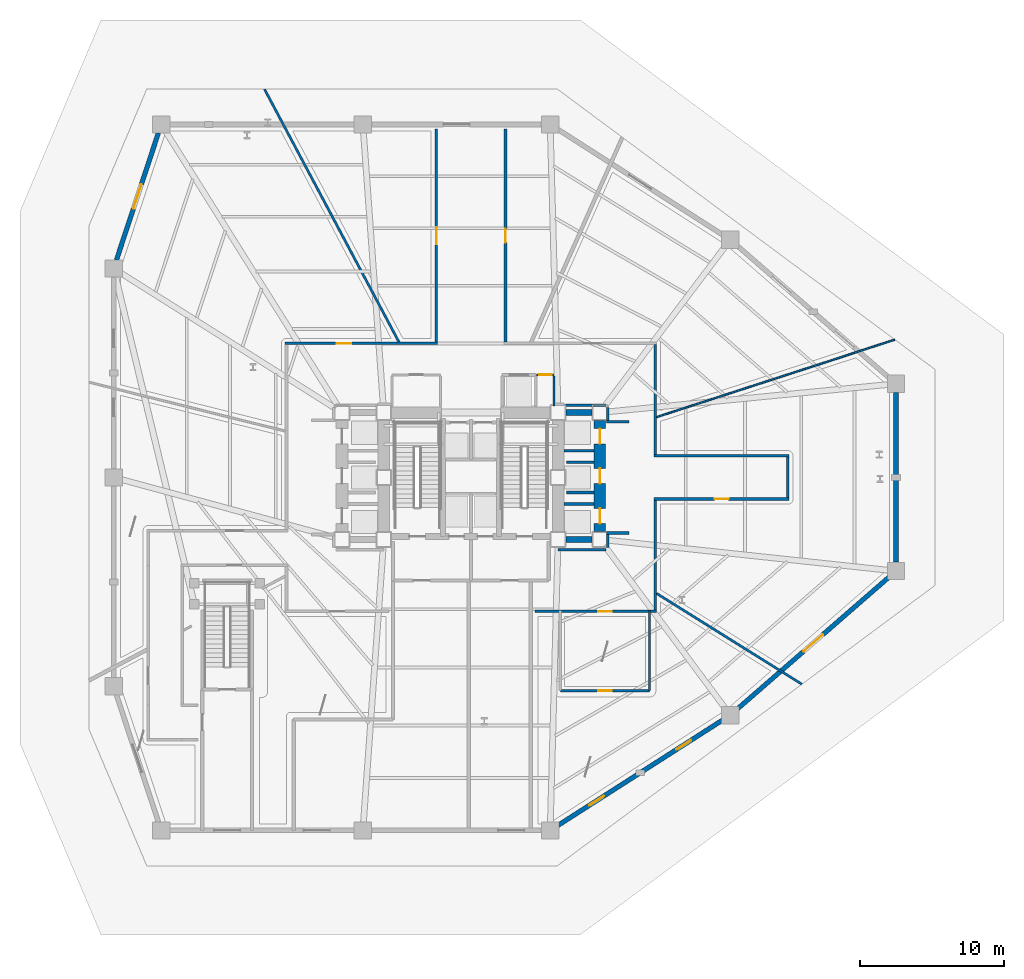
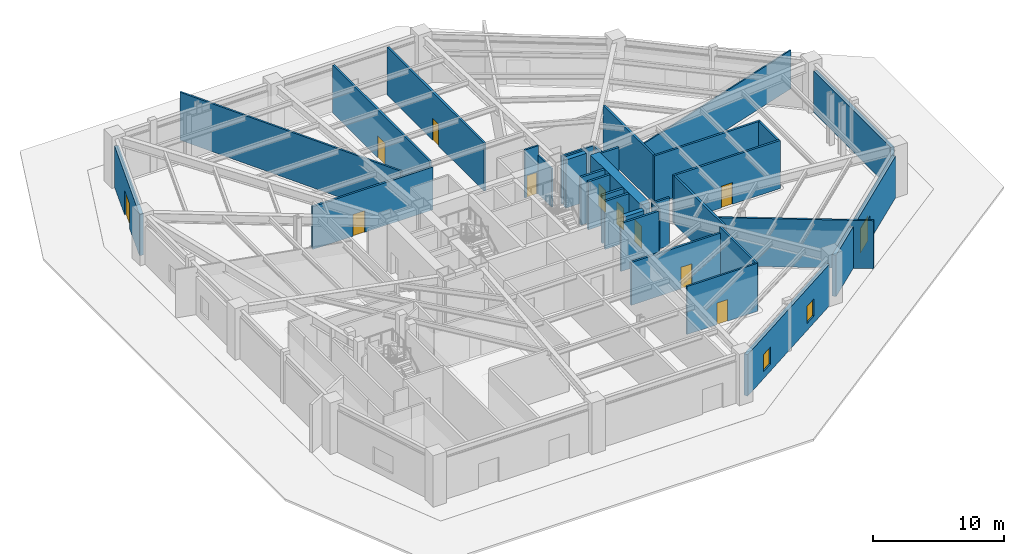
# One storey, part 5 of 10: 33 walls, 12 doors, 2 windows, 14 openings.
"""IFC4 building model written with IfcOpenShell, lengths in metres."""

from ifc_helpers import new_model, si_unit, direction, frame, frame_2d, origin, place, context, subcontext, project, spatial, rectangle, extrude, material, layer, layer_set, type_object, element, fill, save


model = new_model("IFC4")

# Units and contexts
model_context = context("Model", 3, precision=1e-05, world=origin(), true_north=direction((0.0, 1.0)))
body_context = subcontext(model_context, "Body", "Model", "MODEL_VIEW")
ifc_project = project(units=[si_unit("LENGTHUNIT", "METRE"), si_unit("AREAUNIT", "SQUARE_METRE"), si_unit("VOLUMEUNIT", "CUBIC_METRE"), si_unit("PLANEANGLEUNIT", "RADIAN"), si_unit("MASSUNIT", "GRAM", prefix="KILO")], contexts=[model_context])

# Site, building, storey
site_placement = place(None, origin())
site = spatial("IfcSite", under=ifc_project, at=site_placement, CompositionType="ELEMENT")
building_placement = place(site_placement, origin())
building = spatial("IfcBuilding", under=site, at=building_placement, Name="Rocaltana Carrier Exchange", CompositionType="ELEMENT")
storey_placement = place(building_placement, origin())
storey = spatial("IfcBuildingStorey", under=building, at=storey_placement, Name="L01", CompositionType="ELEMENT", Elevation=0.0)

# Walls
ifc_material_1 = material(Name="Double Acoustic Gypsum Partition", Category="gypsum")
ifc_layer_1 = layer(ifc_material_1, 0.159912109375)
ifc_layer_set_1 = layer_set([ifc_layer_1], Name="Double Acoustic Gypsum Partition")
wall_type_1 = type_object("IfcWallType", Name="Acoustic Studio Partition 160 EI60", PredefinedType="PARTITIONING", material=ifc_layer_set_1)
wall_1_placement = place(storey_placement, frame((12.8798828125, -8.04833984375, 0.0), z_axis=(0.0, 0.0, 1.0), x_axis=(0.848053688019, -0.529910315278, 0.0)))
element("IfcWall", 1, at=wall_1_placement, inside=storey, type_object=wall_type_1, Name="L01 Suite Divider Wall D4", PredefinedType="PARTITIONING", context=body_context, shape_type="SweptSolid", body=[
    extrude(rectangle(XDim=11.88623046875, YDim=0.159912109375, at=frame_2d((5.943115234375, 0.0))), origin(), (0.0, 0.0, 1.0), 4.472900390625),
])
wall_2_placement = place(storey_placement, frame((-4.9873046875, 9.3798828125, 0.0), z_axis=(0.0, 0.0, 1.0), x_axis=(-0.469474122014, 0.882946232088, 0.0)))
element("IfcWall", 2, at=wall_2_placement, inside=storey, type_object=wall_type_1, Name="L01 Suite Divider Wall D7", PredefinedType="PARTITIONING", context=body_context, shape_type="SweptSolid", body=[
    extrude(rectangle(XDim=19.887939453125, YDim=0.159912109375, at=frame_2d((9.94384765625, 0.0))), origin(), (0.0, 0.0, 1.0), 4.472900390625),
])
wall_3_placement = place(storey_placement, frame((12.39990234375, -14.800048828125, 0.0), z_axis=(0.0, 0.0, 1.0), x_axis=(0.0, 1.0, 0.0)))
element("IfcWall", 3, at=wall_3_placement, inside=storey, type_object=wall_type_1, Name="L01 Enclosure Partition 1.1", PredefinedType="PARTITIONING", context=body_context, shape_type="SweptSolid", body=[
    extrude(rectangle(XDim=5.580078125, YDim=0.159912109375, at=frame_2d((2.7900390625, 0.0))), origin(), (0.0, 0.0, 1.0), 4.472900390625),
])

# Wall, opening, door
wall_4_placement = place(storey_placement, frame((6.199951171875, -14.800048828125, 0.0), z_axis=(0.0, 0.0, 1.0), x_axis=(1.0, 0.0, 0.0)))
wall_4 = element("IfcWall", 4, at=wall_4_placement, inside=storey, type_object=wall_type_1, Name="L01 Enclosure Partition 1.2", PredefinedType="PARTITIONING", context=body_context, shape_type="SweptSolid", body=[
    extrude(rectangle(XDim=6.199951171875, YDim=0.159912109375, at=frame_2d((3.10009765625, 0.0))), origin(), (0.0, 0.0, 1.0), 4.472900390625),
])
opening_1_placement = place(wall_4_placement, frame((2.6201171875, 0.0, 0.0)))
opening_1 = element("IfcOpeningElement", 5, at=opening_1_placement, cuts=wall_4, Name="Opening D-RM098", PredefinedType="OPENING", context=body_context, shape_type="SweptSolid", body=[
    extrude(rectangle(XDim=0.9599609375, YDim=2.02001953125, at=frame_2d((0.47998046875, 1.010009765625))), frame((0.0, 0.08984375, 0.0), z_axis=(0.0, -1.0, 0.0), x_axis=(1.0, 0.0, 0.0)), (0.0, 0.0, 1.0), 0.179931640625),
])
ifc_material_2 = material(Name="Engineered Hardwood Timber", Category="wood")
door_type_1 = type_object("IfcDoorType", Name="Workspace Single Door 960x2020", OperationType="NOTDEFINED", PredefinedType="DOOR", material=ifc_material_2)
door_1_placement = place(opening_1_placement, origin())
door_1 = element("IfcDoor", 6, at=door_1_placement, inside=storey, type_object=door_type_1, Name="L01 Peering Conference Room Entrance Door", OperationType="SINGLE_SWING_RIGHT", OverallHeight=2.02001953125, OverallWidth=0.9599609375, PredefinedType="DOOR", context=body_context, shape_type="SweptSolid", body=[
    extrude(rectangle(XDim=0.9599609375, YDim=2.02001953125, at=frame_2d((0.47998046875, 1.010009765625))), frame((0.0, 0.02490234375, 0.0), z_axis=(0.0, -1.0, 0.0), x_axis=(1.0, 0.0, 0.0)), (0.0, 0.0, 1.0), 0.050048828125),
])
fill(opening_1, door_1)

# Walls
ifc_material_3 = material(Name="Concrete C50/60", Category="concrete")
ifc_layer_2 = layer(ifc_material_3, 0.39990234375)
ifc_layer_set_2 = layer_set([ifc_layer_2], Name="Concrete C50/60")
wall_type_2 = type_object("IfcWallType", Name="Core Internal Shear Wall 400", PredefinedType="SHEAR", material=ifc_layer_set_2)
for number, where, z_axis, x_axis, name in (
    (7, (6.60009765625, 4.5, 0.0), (0.0, 0.0, 1.0), (1.0, 0.0, 0.0), "L01 Core Shear Wall CW-EWN"),
    (8, (6.60009765625, -4.300048828125, 0.0), (0.0, 0.0, 1.0), (1.0, 0.0, 0.0), "L01 Core Shear Wall CW-EWS"),
):
    element("IfcWall", number, at=place(storey_placement, frame(where, z_axis=z_axis, x_axis=x_axis)), inside=storey, type_object=wall_type_2, Name=name, PredefinedType="SHEAR", context=body_context, shape_type="SweptSolid", body=[
        extrude(rectangle(XDim=1.7998046875, YDim=0.39990234375, at=frame_2d((0.89990234375, 0.0))), origin(), (0.0, 0.0, 1.0), 4.498046875),
    ])

# Wall, openings, doors
ifc_material_4 = material(Name="Concrete C60/75", Category="concrete")
ifc_layer_3 = layer(ifc_material_4, 0.800048828125)
ifc_layer_set_3 = layer_set([ifc_layer_3], Name="Concrete C60/75")
wall_type_3 = type_object("IfcWallType", Name="Core Shear Wall 800", PredefinedType="SHEAR", material=ifc_layer_set_3)
wall_5_placement = place(storey_placement, frame((8.949951171875, -3.75, 0.0), z_axis=(0.0, 0.0, 1.0), x_axis=(0.0, 1.0, 0.0)))
wall_5 = element("IfcWall", 9, at=wall_5_placement, inside=storey, type_object=wall_type_3, Name="L01 Core Shear Wall CW-EW", PredefinedType="SHEAR", context=body_context, shape_type="SweptSolid", body=[
    extrude(rectangle(XDim=7.699951171875, YDim=0.800048828125, at=frame_2d((3.85009765625, 0.0))), origin(), (0.0, 0.0, 1.0), 4.498046875),
])
opening_2_placement = place(wall_5_placement, frame((0.550048828125, 0.0, 0.0)))
opening_2 = element("IfcOpeningElement", 10, at=opening_2_placement, cuts=wall_5, Name="Opening LD-110", PredefinedType="OPENING", context=body_context, shape_type="SweptSolid", body=[
    extrude(rectangle(XDim=1.06005859375, YDim=2.0400390625, at=frame_2d((0.530029296875, 1.02001953125))), frame((0.0, 0.409912109375, 0.0), z_axis=(0.0, -1.0, 0.0), x_axis=(1.0, 0.0, 0.0)), (0.0, 0.0, 1.0), 0.820068359375),
])
opening_3_placement = place(wall_5_placement, frame((3.320068359375, 0.0, 0.0)))
opening_3 = element("IfcOpeningElement", 11, at=opening_3_placement, cuts=wall_5, Name="Opening LD-110", PredefinedType="OPENING", context=body_context, shape_type="SweptSolid", body=[
    extrude(rectangle(XDim=1.06005859375, YDim=2.0400390625, at=frame_2d((0.530029296875, 1.02001953125))), frame((0.0, 0.409912109375, 0.0), z_axis=(0.0, -1.0, 0.0), x_axis=(1.0, 0.0, 0.0)), (0.0, 0.0, 1.0), 0.820068359375),
])
opening_4_placement = place(wall_5_placement, frame((6.080078125, 0.0, 0.0)))
opening_4 = element("IfcOpeningElement", 12, at=opening_4_placement, cuts=wall_5, Name="Opening LD-110", PredefinedType="OPENING", context=body_context, shape_type="SweptSolid", body=[
    extrude(rectangle(XDim=1.06005859375, YDim=2.0400390625, at=frame_2d((0.530029296875, 1.02001953125))), frame((0.0, 0.409912109375, 0.0), z_axis=(0.0, -1.0, 0.0), x_axis=(1.0, 0.0, 0.0)), (0.0, 0.0, 1.0), 0.820068359375),
])
ifc_material_5 = material(Name="Brushed Stainless Sliding Door Leaf", Category="steel")
door_type_2 = type_object("IfcDoorType", Name="Lift Landing Sliding Door 1060x2040", OperationType="NOTDEFINED", PredefinedType="DOOR", material=ifc_material_5)
door_2_placement = place(opening_2_placement, origin())
door_2 = element("IfcDoor", 13, at=door_2_placement, inside=storey, type_object=door_type_2, Name="L01 Mid-Rise Lift PL-M1 Landing Door", OperationType="SLIDING_TO_LEFT", OverallHeight=2.0400390625, OverallWidth=1.06005859375, PredefinedType="DOOR", context=body_context, shape_type="SweptSolid", body=[
    extrude(rectangle(XDim=1.06005859375, YDim=2.0400390625, at=frame_2d((0.530029296875, 1.02001953125))), frame((0.0, 0.02490234375, 0.0), z_axis=(0.0, -1.0, 0.0), x_axis=(1.0, 0.0, 0.0)), (0.0, 0.0, 1.0), 0.050048828125),
])
fill(opening_2, door_2)
door_3_placement = place(opening_3_placement, origin())
door_3 = element("IfcDoor", 14, at=door_3_placement, inside=storey, type_object=door_type_2, Name="L01 Mid-Rise Lift PL-M2 Landing Door", OperationType="SLIDING_TO_RIGHT", OverallHeight=2.0400390625, OverallWidth=1.06005859375, PredefinedType="DOOR", context=body_context, shape_type="SweptSolid", body=[
    extrude(rectangle(XDim=1.06005859375, YDim=2.0400390625, at=frame_2d((0.530029296875, 1.02001953125))), frame((0.0, 0.02490234375, 0.0), z_axis=(0.0, -1.0, 0.0), x_axis=(1.0, 0.0, 0.0)), (0.0, 0.0, 1.0), 0.050048828125),
])
fill(opening_3, door_3)
door_4_placement = place(opening_4_placement, origin())
door_4 = element("IfcDoor", 15, at=door_4_placement, inside=storey, type_object=door_type_2, Name="L01 Mid-Rise Lift PL-M3 Landing Door", OperationType="SLIDING_TO_LEFT", OverallHeight=2.0400390625, OverallWidth=1.06005859375, PredefinedType="DOOR", context=body_context, shape_type="SweptSolid", body=[
    extrude(rectangle(XDim=1.06005859375, YDim=2.0400390625, at=frame_2d((0.530029296875, 1.02001953125))), frame((0.0, 0.02490234375, 0.0), z_axis=(0.0, -1.0, 0.0), x_axis=(1.0, 0.0, 0.0)), (0.0, 0.0, 1.0), 0.050048828125),
])
fill(opening_4, door_4)

# Wall, opening, door
ifc_material_6 = material(Name="Gypsum & Steel Stud Partition", Category="steel")
ifc_layer_4 = layer(ifc_material_6, 0.179931640625)
ifc_layer_set_4 = layer_set([ifc_layer_4], Name="Gypsum & Steel Stud Partition")
wall_type_4 = type_object("IfcWallType", Name="Corridor Fire Partition 180 EI60", PredefinedType="PARTITIONING", material=ifc_layer_set_4)
wall_6_placement = place(storey_placement, frame((-12.889892578125, 9.300048828125, 0.0), z_axis=(0.0, 0.0, 1.0), x_axis=(1.0, 0.0, 0.0)))
wall_6 = element("IfcWall", 16, at=wall_6_placement, inside=storey, type_object=wall_type_4, Name="L01 Corridor Partition 3", PredefinedType="PARTITIONING", context=body_context, shape_type="SweptSolid", body=[
    extrude(rectangle(XDim=10.579833984375, YDim=0.179931640625, at=frame_2d((5.2900390625, 0.0))), origin(), (0.0, 0.0, 1.0), 3.987060546875),
])
opening_5_placement = place(wall_6_placement, frame((3.566162109375, 0.0, 0.0)))
opening_5 = element("IfcOpeningElement", 17, at=opening_5_placement, cuts=wall_6, Name="Opening D-LB104", PredefinedType="OPENING", context=body_context, shape_type="SweptSolid", body=[
    extrude(rectangle(XDim=1.02001953125, YDim=2.02001953125, at=frame_2d((0.510009765625, 1.010009765625))), frame((0.0, 0.099853515625, 0.0), z_axis=(0.0, -1.0, 0.0), x_axis=(1.0, 0.0, 0.0)), (0.0, 0.0, 1.0), 0.199951171875),
])
ifc_material_7 = material(Name="Powder-Coated Aluminium 6063-T6", Category="aluminium")
door_type_3 = type_object("IfcDoorType", Name="Laboratory Acoustic Door 1020x2020", OperationType="NOTDEFINED", PredefinedType="DOOR", material=ifc_material_7)
door_5_placement = place(opening_5_placement, origin())
door_5 = element("IfcDoor", 18, at=door_5_placement, inside=storey, type_object=door_type_3, Name="L01 Optical Switching Laboratory Entrance Door", OperationType="SINGLE_SWING_LEFT", OverallHeight=2.02001953125, OverallWidth=1.02001953125, PredefinedType="DOOR", context=body_context, shape_type="SweptSolid", body=[
    extrude(rectangle(XDim=1.02001953125, YDim=2.02001953125, at=frame_2d((0.510009765625, 1.010009765625))), frame((0.0, 0.02490234375, 0.0), z_axis=(0.0, -1.0, 0.0), x_axis=(1.0, 0.0, 0.0)), (0.0, 0.0, 1.0), 0.050048828125),
])
fill(opening_5, door_5)

wall_7_placement = place(storey_placement, frame((-2.39990234375, 9.389892578125, 0.0), z_axis=(0.0, 0.0, 1.0), x_axis=(0.0, 1.0, 0.0)))
wall_7 = element("IfcWall", 19, at=wall_7_placement, inside=storey, type_object=wall_type_4, Name="L01 Corridor Partition 4", PredefinedType="PARTITIONING", context=body_context, shape_type="SweptSolid", body=[
    extrude(rectangle(XDim=14.780029296875, YDim=0.179931640625, at=frame_2d((7.39013671875, 0.0))), origin(), (0.0, 0.0, 1.0), 4.472900390625),
])
opening_6_placement = place(wall_7_placement, frame((6.800048828125, 0.0, 0.0)))
opening_6 = element("IfcOpeningElement", 20, at=opening_6_placement, cuts=wall_7, Name="Opening D-SU120", PredefinedType="OPENING", context=body_context, shape_type="SweptSolid", body=[
    extrude(rectangle(XDim=1.179931640625, YDim=2.02001953125, at=frame_2d((0.58984375, 1.010009765625))), frame((0.0, 0.099853515625, 0.0), z_axis=(0.0, -1.0, 0.0), x_axis=(1.0, 0.0, 0.0)), (0.0, 0.0, 1.0), 0.199951171875),
])
ifc_material_8 = material(Name="Engineered Hardwood Timber", Category="wood")
door_type_4 = type_object("IfcDoorType", Name="Suite Double Entrance Door 1180x2020", OperationType="NOTDEFINED", PredefinedType="DOOR", material=ifc_material_8)
door_6_placement = place(opening_6_placement, origin())
door_6 = element("IfcDoor", 21, at=door_6_placement, inside=storey, type_object=door_type_4, Name="L01 Data Exchange Hall Entrance Door", OperationType="SINGLE_SWING_RIGHT", OverallHeight=2.02001953125, OverallWidth=1.179931640625, PredefinedType="DOOR", context=body_context, shape_type="SweptSolid", body=[
    extrude(rectangle(XDim=1.179931640625, YDim=2.02001953125, at=frame_2d((0.58984375, 1.010009765625))), frame((0.0, 0.02490234375, 0.0), z_axis=(0.0, -1.0, 0.0), x_axis=(1.0, 0.0, 0.0)), (0.0, 0.0, 1.0), 0.050048828125),
])
fill(opening_6, door_6)

wall_8_placement = place(storey_placement, frame((2.39990234375, 24.169921875, 0.0), z_axis=(0.0, 0.0, 1.0), x_axis=(0.0, -1.0, 0.0)))
wall_8 = element("IfcWall", 22, at=wall_8_placement, inside=storey, type_object=wall_type_4, Name="L01 Corridor Partition 5", PredefinedType="PARTITIONING", context=body_context, shape_type="SweptSolid", body=[
    extrude(rectangle(XDim=14.780029296875, YDim=0.179931640625, at=frame_2d((7.39013671875, 0.0))), origin(), (0.0, 0.0, 1.0), 4.472900390625),
])
opening_7_placement = place(wall_8_placement, frame((6.909912109375, 0.0, 0.0)))
opening_7 = element("IfcOpeningElement", 23, at=opening_7_placement, cuts=wall_8, Name="Opening D-RM098", PredefinedType="OPENING", context=body_context, shape_type="SweptSolid", body=[
    extrude(rectangle(XDim=0.9599609375, YDim=2.02001953125, at=frame_2d((0.47998046875, 1.010009765625))), frame((0.0, 0.099853515625, 0.0), z_axis=(0.0, -1.0, 0.0), x_axis=(1.0, 0.0, 0.0)), (0.0, 0.0, 1.0), 0.199951171875),
])
door_7_placement = place(opening_7_placement, origin())
door_7 = element("IfcDoor", 24, at=door_7_placement, inside=storey, type_object=door_type_1, Name="L01 Client Reception Foyer Entrance Door", OperationType="SINGLE_SWING_LEFT", OverallHeight=2.02001953125, OverallWidth=0.9599609375, PredefinedType="DOOR", context=body_context, shape_type="SweptSolid", body=[
    extrude(rectangle(XDim=0.9599609375, YDim=2.02001953125, at=frame_2d((0.47998046875, 1.010009765625))), frame((0.0, 0.02490234375, 0.0), z_axis=(0.0, -1.0, 0.0), x_axis=(1.0, 0.0, 0.0)), (0.0, 0.0, 1.0), 0.050048828125),
])
fill(opening_7, door_7)

# Walls
wall_9_placement = place(storey_placement, frame((12.800048828125, 9.2099609375, 0.0), z_axis=(0.0, 0.0, 1.0), x_axis=(0.0, -1.0, 0.0)))
element("IfcWall", 25, at=wall_9_placement, inside=storey, type_object=wall_type_4, Name="L01 Corridor Partition 7", PredefinedType="PARTITIONING", context=body_context, shape_type="SweptSolid", body=[
    extrude(rectangle(XDim=7.619873046875, YDim=0.179931640625, at=frame_2d((3.81005859375, 0.0))), origin(), (0.0, 0.0, 1.0), 4.472900390625),
])
wall_10_placement = place(storey_placement, frame((12.7099609375, 1.5, 0.0), z_axis=(0.0, 0.0, 1.0), x_axis=(1.0, 0.0, 0.0)))
element("IfcWall", 26, at=wall_10_placement, inside=storey, type_object=wall_type_4, Name="L01 Corridor Partition 8", PredefinedType="PARTITIONING", context=body_context, shape_type="SweptSolid", body=[
    extrude(rectangle(XDim=9.380126953125, YDim=0.179931640625, at=frame_2d((4.68994140625, 0.0))), origin(), (0.0, 0.0, 1.0), 4.472900390625),
])
wall_11_placement = place(storey_placement, frame((22.0, 1.409912109375, 0.0), z_axis=(0.0, 0.0, 1.0), x_axis=(0.0, -1.0, 0.0)))
element("IfcWall", 27, at=wall_11_placement, inside=storey, type_object=wall_type_4, Name="L01 Corridor Partition 9", PredefinedType="PARTITIONING", context=body_context, shape_type="SweptSolid", body=[
    extrude(rectangle(XDim=2.81982421875, YDim=0.179931640625, at=frame_2d((1.409912109375, 0.0))), origin(), (0.0, 0.0, 1.0), 4.472900390625),
])

# Wall, opening, door
wall_12_placement = place(storey_placement, frame((22.090087890625, -1.5, 0.0), z_axis=(0.0, 0.0, 1.0), x_axis=(-1.0, 0.0, 0.0)))
wall_12 = element("IfcWall", 28, at=wall_12_placement, inside=storey, type_object=wall_type_4, Name="L01 Corridor Partition 10", PredefinedType="PARTITIONING", context=body_context, shape_type="SweptSolid", body=[
    extrude(rectangle(XDim=9.380126953125, YDim=0.179931640625, at=frame_2d((4.68994140625, 0.0))), origin(), (0.0, 0.0, 1.0), 4.472900390625),
])
opening_8_placement = place(wall_12_placement, frame((4.2099609375, 0.0, 0.0)))
opening_8 = element("IfcOpeningElement", 29, at=opening_8_placement, cuts=wall_12, Name="Opening D-RM098", PredefinedType="OPENING", context=body_context, shape_type="SweptSolid", body=[
    extrude(rectangle(XDim=0.9599609375, YDim=2.02001953125, at=frame_2d((0.47998046875, 1.010009765625))), frame((0.0, 0.099853515625, 0.0), z_axis=(0.0, -1.0, 0.0), x_axis=(1.0, 0.0, 0.0)), (0.0, 0.0, 1.0), 0.199951171875),
])
door_8_placement = place(opening_8_placement, origin())
door_8 = element("IfcDoor", 30, at=door_8_placement, inside=storey, type_object=door_type_1, Name="L01 Cloud Architecture Office Entrance Door", OperationType="SINGLE_SWING_LEFT", OverallHeight=2.02001953125, OverallWidth=0.9599609375, PredefinedType="DOOR", context=body_context, shape_type="SweptSolid", body=[
    extrude(rectangle(XDim=0.9599609375, YDim=2.02001953125, at=frame_2d((0.47998046875, 1.010009765625))), frame((0.0, 0.02490234375, 0.0), z_axis=(0.0, -1.0, 0.0), x_axis=(1.0, 0.0, 0.0)), (0.0, 0.0, 1.0), 0.050048828125),
])
fill(opening_8, door_8)

# Wall
wall_13_placement = place(storey_placement, frame((12.800048828125, -1.590087890625, 0.0), z_axis=(0.0, 0.0, 1.0), x_axis=(0.0, -1.0, 0.0)))
element("IfcWall", 31, at=wall_13_placement, inside=storey, type_object=wall_type_4, Name="L01 Corridor Partition 11", PredefinedType="PARTITIONING", context=body_context, shape_type="SweptSolid", body=[
    extrude(rectangle(XDim=7.619873046875, YDim=0.179931640625, at=frame_2d((3.81005859375, 0.0))), origin(), (0.0, 0.0, 1.0), 4.472900390625),
])

# Wall, opening, door
wall_14_placement = place(storey_placement, frame((12.889892578125, -9.300048828125, 0.0), z_axis=(0.0, 0.0, 1.0), x_axis=(-1.0, 0.0, 0.0)))
wall_14 = element("IfcWall", 32, at=wall_14_placement, inside=storey, type_object=wall_type_4, Name="L01 Corridor Partition 12", PredefinedType="PARTITIONING", context=body_context, shape_type="SweptSolid", body=[
    extrude(rectangle(XDim=8.43994140625, YDim=0.179931640625, at=frame_2d((4.219970703125, 0.0))), origin(), (0.0, 0.0, 1.0), 3.987060546875),
])
opening_9_placement = place(wall_14_placement, frame((3.110107421875, 0.0, 0.0)))
opening_9 = element("IfcOpeningElement", 33, at=opening_9_placement, cuts=wall_14, Name="Opening D-RM098", PredefinedType="OPENING", context=body_context, shape_type="SweptSolid", body=[
    extrude(rectangle(XDim=0.9599609375, YDim=2.02001953125, at=frame_2d((0.47998046875, 1.010009765625))), frame((0.0, 0.099853515625, 0.0), z_axis=(0.0, -1.0, 0.0), x_axis=(1.0, 0.0, 0.0)), (0.0, 0.0, 1.0), 0.199951171875),
])
door_9_placement = place(opening_9_placement, origin())
door_9 = element("IfcDoor", 34, at=door_9_placement, inside=storey, type_object=door_type_1, Name="L01 Fire Command Centre Entrance Door", OperationType="SINGLE_SWING_LEFT", OverallHeight=2.02001953125, OverallWidth=0.9599609375, PredefinedType="DOOR", context=body_context, shape_type="SweptSolid", body=[
    extrude(rectangle(XDim=0.9599609375, YDim=2.02001953125, at=frame_2d((0.47998046875, 1.010009765625))), frame((0.0, 0.02490234375, 0.0), z_axis=(0.0, -1.0, 0.0), x_axis=(1.0, 0.0, 0.0)), (0.0, 0.0, 1.0), 0.050048828125),
])
fill(opening_9, door_9)

# Walls
wall_15_placement = place(storey_placement, frame((6.030029296875, -5.010009765625, 0.0), z_axis=(0.0, 0.0, 1.0), x_axis=(1.0, 0.0, 0.0)))
element("IfcWall", 35, at=wall_15_placement, inside=storey, type_object=wall_type_4, Name="L01 Corridor Partition 14", PredefinedType="PARTITIONING", context=body_context, shape_type="SweptSolid", body=[
    extrude(rectangle(XDim=3.340087890625, YDim=0.179931640625, at=frame_2d((1.669921875, 0.0))), origin(), (0.0, 0.0, 1.0), 4.472900390625),
])
wall_16_placement = place(storey_placement, frame((9.510009765625, -4.8701171875, 0.0), z_axis=(0.0, 0.0, 1.0), x_axis=(0.0, 1.0, 0.0)))
element("IfcWall", 36, at=wall_16_placement, inside=storey, type_object=wall_type_4, Name="L01 Corridor Partition 15", PredefinedType="PARTITIONING", context=body_context, shape_type="SweptSolid", body=[
    extrude(rectangle(XDim=0.920166015625, YDim=0.179931640625, at=frame_2d((0.4599609375, 0.0))), origin(), (0.0, 0.0, 1.0), 4.472900390625),
])
for number, where, z_axis, x_axis, name in (
    (37, (9.419921875, -3.860107421875, 0.0), (0.0, 0.0, 1.0), (1.0, 0.0, 0.0), "L01 Corridor Partition 16"),
    (38, (10.969970703125, 3.860107421875, 0.0), (0.0, 0.0, 1.0), (-1.0, 0.0, 0.0), "L01 Corridor Partition 17"),
):
    element("IfcWall", number, at=place(storey_placement, frame(where, z_axis=z_axis, x_axis=x_axis)), inside=storey, type_object=wall_type_4, Name=name, PredefinedType="PARTITIONING", context=body_context, shape_type="SweptSolid", body=[
        extrude(rectangle(XDim=1.550048828125, YDim=0.179931640625, at=frame_2d((0.77490234375, 0.0))), origin(), (0.0, 0.0, 1.0), 4.472900390625),
    ])
wall_17_placement = place(storey_placement, frame((9.510009765625, 3.949951171875, 0.0), z_axis=(0.0, 0.0, 1.0), x_axis=(0.0, 1.0, 0.0)))
element("IfcWall", 39, at=wall_17_placement, inside=storey, type_object=wall_type_4, Name="L01 Corridor Partition 18", PredefinedType="PARTITIONING", context=body_context, shape_type="SweptSolid", body=[
    extrude(rectangle(XDim=0.920166015625, YDim=0.179931640625, at=frame_2d((0.4599609375, 0.0))), origin(), (0.0, 0.0, 1.0), 4.472900390625),
])
wall_18_placement = place(storey_placement, frame((9.3701171875, 5.010009765625, 0.0), z_axis=(0.0, 0.0, 1.0), x_axis=(-1.0, 0.0, 0.0)))
element("IfcWall", 40, at=wall_18_placement, inside=storey, type_object=wall_type_4, Name="L01 Corridor Partition 19", PredefinedType="PARTITIONING", context=body_context, shape_type="SweptSolid", body=[
    extrude(rectangle(XDim=2.807861328125, YDim=0.179931640625, at=frame_2d((1.40380859375, 0.0))), origin(), (0.0, 0.0, 1.0), 4.472900390625),
])
ifc_material_9 = material(Name="Aluminium 6063-T6 & Acoustic Glass", Category="aluminium")
ifc_layer_5 = layer(ifc_material_9, 0.114990234375)
ifc_layer_set_5 = layer_set([ifc_layer_5], Name="Aluminium 6063-T6 & Acoustic Glass")
wall_type_5 = type_object("IfcWallType", Name="Demountable Glazed Lab Partition 115", PredefinedType="MOVABLE", material=ifc_layer_set_5)
wall_19_placement = place(storey_placement, frame((12.8798828125, 4.18505859375, 0.0), z_axis=(0.0, 0.0, 1.0), x_axis=(0.951056153028, 0.309018112394, 0.0)))
element("IfcWall", 41, at=wall_19_placement, inside=storey, type_object=wall_type_5, Name="L01 Suite Divider Wall D5", PredefinedType="MOVABLE", context=body_context, shape_type="SweptSolid", body=[
    extrude(rectangle(XDim=17.383544921875, YDim=0.114990234375, at=frame_2d((8.69189453125, 0.0))), origin(), (0.0, 0.0, 1.0), 3.597900390625),
])
ifc_material_10 = material(Name="Reinforced Concrete Block C35/45", Category="concrete")
ifc_layer_6 = layer(ifc_material_10, 0.199951171875)
ifc_layer_set_6 = layer_set([ifc_layer_6], Name="Reinforced Concrete Block C35/45")
wall_type_6 = type_object("IfcWallType", Name="Lift Hoistway Enclosure Wall 200 EI120", PredefinedType="PARTITIONING", material=ifc_layer_set_6)
for number, where, z_axis, x_axis, name in (
    (42, (6.449951171875, -1.85009765625, 0.0), (0.0, 0.0, 1.0), (1.0, 0.0, 0.0), "L01 Mid-Rise Shaft Divider 1"),
    (43, (6.449951171875, 1.85009765625, 0.0), (0.0, 0.0, 1.0), (1.0, 0.0, 0.0), "L01 Mid-Rise Shaft Divider 2"),
):
    element("IfcWall", number, at=place(storey_placement, frame(where, z_axis=z_axis, x_axis=x_axis)), inside=storey, type_object=wall_type_6, Name=name, PredefinedType="PARTITIONING", context=body_context, shape_type="SweptSolid", body=[
        extrude(rectangle(XDim=2.10009765625, YDim=0.199951171875, at=frame_2d((1.050048828125, 0.0))), origin(), (0.0, 0.0, 1.0), 4.472900390625),
    ])
for number, where, z_axis, x_axis, name in (
    (44, (6.639892578125, -1.050048828125, 0.0), (0.0, 0.0, 1.0), (1.0, 0.0, 0.0), "L01 Mid-Rise Center Shaft Wall South"),
    (45, (6.639892578125, 1.050048828125, 0.0), (0.0, 0.0, 1.0), (1.0, 0.0, 0.0), "L01 Mid-Rise Center Shaft Wall North"),
):
    element("IfcWall", number, at=place(storey_placement, frame(where, z_axis=z_axis, x_axis=x_axis)), inside=storey, type_object=wall_type_6, Name=name, PredefinedType="PARTITIONING", context=body_context, shape_type="SweptSolid", body=[
        extrude(rectangle(XDim=1.91015625, YDim=0.199951171875, at=frame_2d((0.955078125, 0.0))), origin(), (0.0, 0.0, 1.0), 4.472900390625),
    ])

# Wall, openings, windows
ifc_material_11 = material(Name="Precast sandstone concrete C45/55", Category="masonry")
ifc_layer_7 = layer(ifc_material_11, 0.320068359375)
ifc_layer_set_7 = layer_set([ifc_layer_7], Name="Precast sandstone concrete C45/55")
wall_type_7 = type_object("IfcWallType", Name="Precast Sandstone Facade Wall 320", PredefinedType="SOLIDWALL", material=ifc_layer_set_7)
wall_20_placement = place(storey_placement, frame((17.477783203125, -16.834228515625, 0.0), z_axis=(0.0, 0.0, 1.0), x_axis=(-0.842272052664, -0.539052677667, 0.0)))
wall_20 = element("IfcWall", 46, at=wall_20_placement, inside=storey, type_object=wall_type_7, Name="L01 Sandstone Facade Wall B03", PredefinedType="SOLIDWALL", context=body_context, shape_type="SweptSolid", body=[
    extrude(rectangle(XDim=13.600830078125, YDim=0.320068359375, at=frame_2d((6.80029296875, 0.0))), origin(), (0.0, 0.0, 1.0), 3.867919921875),
])
opening_10_placement = place(wall_20_placement, frame((2.600341796875, 0.0, 0.64990234375)))
opening_10 = element("IfcOpeningElement", 47, at=opening_10_placement, cuts=wall_20, Name="Opening W-03", PredefinedType="OPENING", context=body_context, shape_type="SweptSolid", body=[
    extrude(rectangle(XDim=1.199951171875, YDim=1.60009765625, at=frame_2d((0.60009765625, 0.800048828125))), frame((0.0, 0.169921875, 0.0), z_axis=(0.0, -1.0, 0.0), x_axis=(1.0, 0.0, 0.0)), (0.0, 0.0, 1.0), 0.340087890625),
])
opening_11_placement = place(wall_20_placement, frame((9.80029296875, 0.0, 0.64990234375)))
opening_11 = element("IfcOpeningElement", 48, at=opening_11_placement, cuts=wall_20, Name="Opening W-03", PredefinedType="OPENING", context=body_context, shape_type="SweptSolid", body=[
    extrude(rectangle(XDim=1.199951171875, YDim=1.60009765625, at=frame_2d((0.60009765625, 0.800048828125))), frame((0.0, 0.169921875, 0.0), z_axis=(0.0, -1.0, 0.0), x_axis=(1.0, 0.0, 0.0)), (0.0, 0.0, 1.0), 0.340087890625),
])
ifc_material_12 = material(Name="Aluminium 6063-T6 & Double Glazing", Category="aluminium")
window_type = type_object("IfcWindowType", Name="Podium Narrow Slot Window 1200x1600", PartitioningType="SINGLE_PANEL", PredefinedType="WINDOW", material=ifc_material_12)
window_1_placement = place(opening_10_placement, origin())
window_1 = element("IfcWindow", 49, at=window_1_placement, inside=storey, type_object=window_type, Name="L01 Punched Window B03-1", OverallHeight=1.60009765625, OverallWidth=1.199951171875, PartitioningType="SINGLE_PANEL", PredefinedType="WINDOW", context=body_context, shape_type="SweptSolid", body=[
    extrude(rectangle(XDim=1.199951171875, YDim=1.60009765625, at=frame_2d((0.60009765625, 0.800048828125))), frame((0.0, 0.030029296875, 0.0), z_axis=(0.0, -1.0, 0.0), x_axis=(1.0, 0.0, 0.0)), (0.0, 0.0, 1.0), 0.06005859375),
])
fill(opening_10, window_1)
window_2_placement = place(opening_11_placement, origin())
window_2 = element("IfcWindow", 50, at=window_2_placement, inside=storey, type_object=window_type, Name="L01 Punched Window B03-4", OverallHeight=1.60009765625, OverallWidth=1.199951171875, PartitioningType="SINGLE_PANEL", PredefinedType="WINDOW", context=body_context, shape_type="SweptSolid", body=[
    extrude(rectangle(XDim=1.199951171875, YDim=1.60009765625, at=frame_2d((0.60009765625, 0.800048828125))), frame((0.0, 0.030029296875, 0.0), z_axis=(0.0, -1.0, 0.0), x_axis=(1.0, 0.0, 0.0)), (0.0, 0.0, 1.0), 0.06005859375),
])
fill(opening_11, window_2)

# Wall, opening, door
wall_21_placement = place(storey_placement, frame((29.031982421875, -6.90673828125, 0.0), z_axis=(0.0, 0.0, 1.0), x_axis=(-0.754589002666, -0.656197711863, 0.0)))
wall_21 = element("IfcWall", 51, at=wall_21_placement, inside=storey, type_object=wall_type_7, Name="L01 Sandstone Facade Wall B04", PredefinedType="SOLIDWALL", context=body_context, shape_type="SweptSolid", body=[
    extrude(rectangle(XDim=13.99951171875, YDim=0.320068359375, at=frame_2d((6.999755859375, 0.0))), origin(), (0.0, 0.0, 1.0), 3.867919921875),
])
opening_12_placement = place(wall_21_placement, frame((6.099853515625, 0.0, 0.0)))
opening_12 = element("IfcOpeningElement", 52, at=opening_12_placement, cuts=wall_21, Name="Opening E-03", PredefinedType="OPENING", context=body_context, shape_type="SweptSolid", body=[
    extrude(rectangle(XDim=1.800048828125, YDim=2.300048828125, at=frame_2d((0.89990234375, 1.14990234375))), frame((0.0, 0.169921875, 0.0), z_axis=(0.0, -1.0, 0.0), x_axis=(1.0, 0.0, 0.0)), (0.0, 0.0, 1.0), 0.340087890625),
])
ifc_material_13 = material(Name="Anodised Aluminium 6063-T6", Category="aluminium")
door_type_5 = type_object("IfcDoorType", Name="Concourse Final Exit Double Door 1800x2300", OperationType="NOTDEFINED", PredefinedType="DOOR", material=ifc_material_13)
door_10_placement = place(opening_12_placement, origin())
door_10 = element("IfcDoor", 53, at=door_10_placement, inside=storey, type_object=door_type_5, Name="Street Concourse Final Exit Door E-03", OperationType="SINGLE_SWING_LEFT", OverallHeight=2.300048828125, OverallWidth=1.800048828125, PredefinedType="DOOR", context=body_context, shape_type="SweptSolid", body=[
    extrude(rectangle(XDim=1.800048828125, YDim=2.300048828125, at=frame_2d((0.89990234375, 1.14990234375))), frame((0.0, 0.02490234375, 0.0), z_axis=(0.0, -1.0, 0.0), x_axis=(1.0, 0.0, 0.0)), (0.0, 0.0, 1.0), 0.050048828125),
])
fill(opening_12, door_10)

# Wall
wall_22_placement = place(storey_placement, frame((29.5, 5.8798828125, 0.0), z_axis=(0.0, 0.0, 1.0), x_axis=(0.0, -1.0, 0.0)))
element("IfcWall", 54, at=wall_22_placement, inside=storey, type_object=wall_type_7, Name="L01 Sandstone Facade Wall B05", PredefinedType="SOLIDWALL", context=body_context, shape_type="SweptSolid", body=[
    extrude(rectangle(XDim=11.759765625, YDim=0.320068359375, at=frame_2d((5.8798828125, 0.0))), origin(), (0.0, 0.0, 1.0), 3.867919921875),
])

# Wall, opening, door
wall_23_placement = place(storey_placement, frame((-24.605712890625, 15.0888671875, 0.0), z_axis=(0.0, 0.0, 1.0), x_axis=(0.313380298023, 0.949627710638, 0.0)))
wall_23 = element("IfcWall", 55, at=wall_23_placement, inside=storey, type_object=wall_type_7, Name="L01 Sandstone Facade Wall B10", PredefinedType="SOLIDWALL", context=body_context, shape_type="SweptSolid", body=[
    extrude(rectangle(XDim=9.290283203125, YDim=0.320068359375, at=frame_2d((4.64501953125, 0.0))), origin(), (0.0, 0.0, 1.0), 3.867919921875),
])
opening_13_placement = place(wall_23_placement, frame((3.7451171875, 0.0, 0.0)))
opening_13 = element("IfcOpeningElement", 56, at=opening_13_placement, cuts=wall_23, Name="Opening E-06", PredefinedType="OPENING", context=body_context, shape_type="SweptSolid", body=[
    extrude(rectangle(XDim=1.800048828125, YDim=2.300048828125, at=frame_2d((0.89990234375, 1.14990234375))), frame((0.0, 0.169921875, 0.0), z_axis=(0.0, -1.0, 0.0), x_axis=(1.0, 0.0, 0.0)), (0.0, 0.0, 1.0), 0.340087890625),
])
door_11_placement = place(opening_13_placement, origin())
door_11 = element("IfcDoor", 57, at=door_11_placement, inside=storey, type_object=door_type_5, Name="Street Concourse Final Exit Door E-06", OperationType="SINGLE_SWING_RIGHT", OverallHeight=2.300048828125, OverallWidth=1.800048828125, PredefinedType="DOOR", context=body_context, shape_type="SweptSolid", body=[
    extrude(rectangle(XDim=1.800048828125, YDim=2.300048828125, at=frame_2d((0.89990234375, 1.14990234375))), frame((0.0, 0.02490234375, 0.0), z_axis=(0.0, -1.0, 0.0), x_axis=(1.0, 0.0, 0.0)), (0.0, 0.0, 1.0), 0.050048828125),
])
fill(opening_13, door_11)

# Wall
ifc_material_14 = material(Name="Moisture-Resistant Masonry C30/37", Category="masonry")
ifc_layer_8 = layer(ifc_material_14, 0.139892578125)
ifc_layer_set_8 = layer_set([ifc_layer_8], Name="Moisture-Resistant Masonry C30/37")
wall_type_8 = type_object("IfcWallType", Name="Wet-Area Sanitary Partition 140", PredefinedType="PARTITIONING", material=ifc_layer_set_8)
wall_24_placement = place(storey_placement, frame((5.780029296875, 4.949951171875, 0.0), z_axis=(0.0, 0.0, 1.0), x_axis=(0.0, 1.0, 0.0)))
element("IfcWall", 58, at=wall_24_placement, inside=storey, type_object=wall_type_8, Name="L01 Restroom East Wall", PredefinedType="PARTITIONING", context=body_context, shape_type="SweptSolid", body=[
    extrude(rectangle(XDim=2.10009765625, YDim=0.139892578125, at=frame_2d((1.050048828125, 0.0))), origin(), (0.0, 0.0, 1.0), 3.597900390625),
])

# Wall, opening, door
wall_25_placement = place(storey_placement, frame((4.56005859375, 7.1201171875, 0.0), z_axis=(0.0, 0.0, 1.0), x_axis=(1.0, 0.0, 0.0)))
wall_25 = element("IfcWall", 59, at=wall_25_placement, inside=storey, type_object=wall_type_8, Name="L01 Restroom North Wall", PredefinedType="PARTITIONING", context=body_context, shape_type="SweptSolid", body=[
    extrude(rectangle(XDim=1.219970703125, YDim=0.139892578125, at=frame_2d((0.60986328125, 0.0))), origin(), (0.0, 0.0, 1.0), 4.472900390625),
])
opening_14_placement = place(wall_25_placement, frame((0.169921875, 0.0, 0.0)))
opening_14 = element("IfcOpeningElement", 60, at=opening_14_placement, cuts=wall_25, Name="Opening D-WC090", PredefinedType="OPENING", context=body_context, shape_type="SweptSolid", body=[
    extrude(rectangle(XDim=0.8798828125, YDim=2.02001953125, at=frame_2d((0.43994140625, 1.010009765625))), frame((0.0, 0.079833984375, 0.0), z_axis=(0.0, -1.0, 0.0), x_axis=(1.0, 0.0, 0.0)), (0.0, 0.0, 1.0), 0.159912109375),
])
ifc_material_15 = material(Name="High-Pressure Laminate Timber", Category="wood")
door_type_6 = type_object("IfcDoorType", Name="Restroom & Accessible WC Door 880x2020", OperationType="NOTDEFINED", PredefinedType="DOOR", material=ifc_material_15)
door_12_placement = place(opening_14_placement, origin())
door_12 = element("IfcDoor", 61, at=door_12_placement, inside=storey, type_object=door_type_6, Name="L01 Staff Restroom Door", OperationType="SINGLE_SWING_LEFT", OverallHeight=2.02001953125, OverallWidth=0.8798828125, PredefinedType="DOOR", context=body_context, shape_type="SweptSolid", body=[
    extrude(rectangle(XDim=0.8798828125, YDim=2.02001953125, at=frame_2d((0.43994140625, 1.010009765625))), frame((0.0, 0.02490234375, 0.0), z_axis=(0.0, -1.0, 0.0), x_axis=(1.0, 0.0, 0.0)), (0.0, 0.0, 1.0), 0.050048828125),
])
fill(opening_14, door_12)

save(model, "model.ifc")
